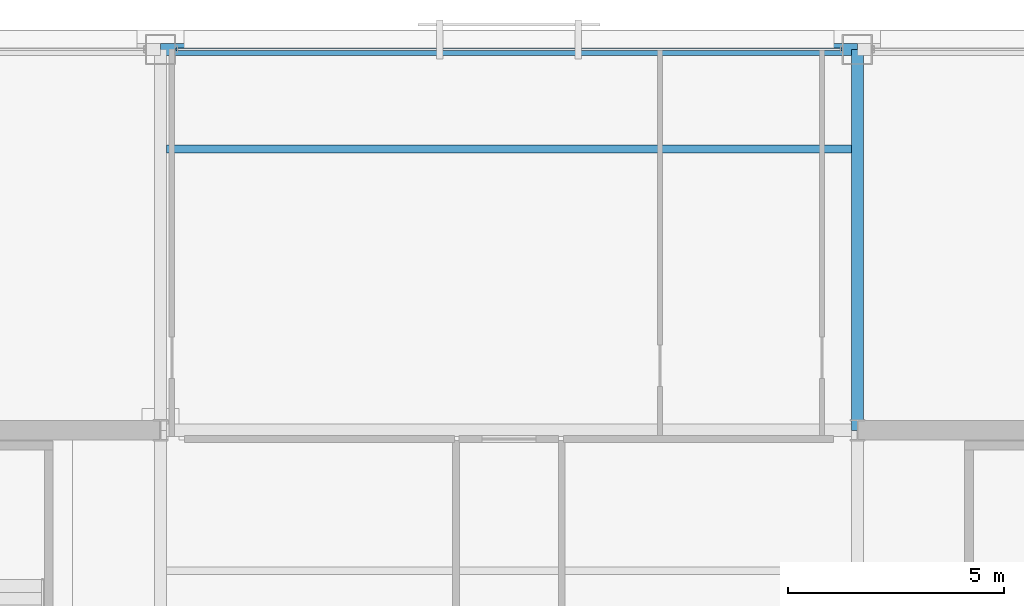
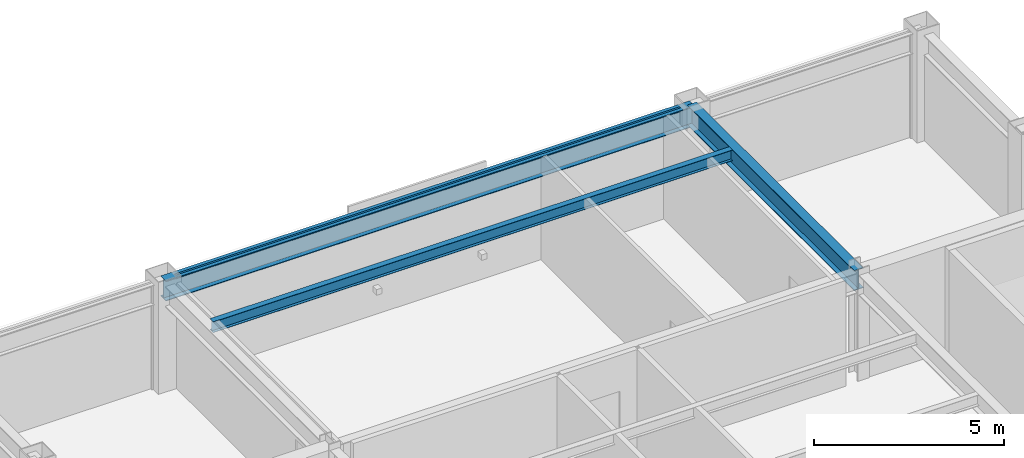
# One storey, part 21 of 30: 3 beams, 1 member, 1 element without a shape of its own.
"""IFC4 building model written with IfcOpenShell, lengths in metres."""

from ifc_helpers import new_model, si_unit, direction, frame, origin, origin_2d, place, context, subcontext, project, spatial, hollow_rectangle, i_section, extrude, material, layer, layer_set, material_profile, profile_set, type_object, element, aggregate, save


model = new_model("IFC4")

# Units and contexts
model_context = context("Model", 3, precision=1e-05, world=origin(), true_north=direction((0.0, 1.0)))
body_context = subcontext(model_context, "Body", "Model", "MODEL_VIEW")
ifc_project = project(units=[si_unit("LENGTHUNIT", "METRE"), si_unit("AREAUNIT", "SQUARE_METRE"), si_unit("VOLUMEUNIT", "CUBIC_METRE"), si_unit("PLANEANGLEUNIT", "RADIAN"), si_unit("MASSUNIT", "GRAM", prefix="KILO")], contexts=[model_context])

# Site, building, storey
site_placement = place(None, origin())
site = spatial("IfcSite", under=ifc_project, at=site_placement, CompositionType="ELEMENT")
building_placement = place(site_placement, origin())
building = spatial("IfcBuilding", under=site, at=building_placement, Name="Brelmoor Portico Tower", CompositionType="ELEMENT")
storey_placement = place(building_placement, frame((0.0, 0.0, 187.5)))
storey = spatial("IfcBuildingStorey", under=building, at=storey_placement, Name="L49", CompositionType="ELEMENT", Elevation=187.5)

# Beams
ifc_material_1 = material(Name="Steel Q355B", Category="steel")
ifc_material_profile_1 = material_profile(ifc_material_1, i_section(OverallWidth=0.175048828125, OverallDepth=0.35009765625, WebThickness=0.007080078125, FlangeThickness=0.010986328125, at=origin_2d()), Name="HN 350x175x7x11")
ifc_profile_set_1 = profile_set([ifc_material_profile_1], Name="Steel Q355B")
beam_type_1 = type_object("IfcBeamType", Name="BM-JS-350", PredefinedType="JOIST", material=ifc_profile_set_1)
beam_1_placement = place(storey_placement, frame((-7.909912109375, 16.25, 3.22509765625), z_axis=(1.0, 0.0, 0.0), x_axis=(0.0, 1.0, 0.0)))
element("IfcBeam", 1, at=beam_1_placement, inside=storey, type_object=beam_type_1, Name="L49 Secondary Composite Joist JS-C04", PredefinedType="JOIST", context=body_context, shape_type="SweptSolid", body=[
    extrude(i_section(OverallWidth=0.175048828125, OverallDepth=0.35009765625, WebThickness=0.007080078125, FlangeThickness=0.010986328125, at=origin_2d()), origin(), (0.0, 0.0, 1.0), 15.81982421875),
])
ifc_material_profile_2 = material_profile(ifc_material_1, i_section(OverallWidth=0.280029296875, OverallDepth=0.64990234375, WebThickness=0.012939453125, FlangeThickness=0.02197265625, at=origin_2d()), Name="HN 650x280x13x22")
ifc_profile_set_2 = profile_set([ifc_material_profile_2], Name="Steel Q355B")
beam_type_2 = type_object("IfcBeamType", Name="BM-PG-650", PredefinedType="BEAM", material=ifc_profile_set_2)
beam_2_placement = place(storey_placement, frame((8.050048828125, 9.75, 3.074951171875), z_axis=(0.0, 1.0, 0.0), x_axis=(-1.0, 0.0, 0.0)))
element("IfcBeam", 2, at=beam_2_placement, inside=storey, type_object=beam_type_2, Name="L49 Primary Floor Girder PG-08", PredefinedType="BEAM", context=body_context, shape_type="SweptSolid", body=[
    extrude(i_section(OverallWidth=0.280029296875, OverallDepth=0.64990234375, WebThickness=0.012939453125, FlangeThickness=0.02197265625, at=origin_2d()), origin(), (0.0, 0.0, 1.0), 8.800048828125),
])
ifc_material_profile_3 = material_profile(ifc_material_1, i_section(OverallWidth=0.280029296875, OverallDepth=0.64990234375, WebThickness=0.012939453125, FlangeThickness=0.02197265625, at=origin_2d()), Name="HN 650x280x13x22")
ifc_profile_set_3 = profile_set([ifc_material_profile_3], Name="Steel Q355B")
beam_type_3 = type_object("IfcBeamType", Name="BM-SP-650", PredefinedType="SPANDREL", material=ifc_profile_set_3)
beam_3_placement = place(storey_placement, frame((-8.050048828125, 18.550048828125, 3.074951171875), z_axis=(1.0, 0.0, 0.0), x_axis=(0.0, 1.0, 0.0)))
element("IfcBeam", 3, at=beam_3_placement, inside=storey, type_object=beam_type_3, Name="L49 Perimeter Spandrel Beam SP-09", PredefinedType="SPANDREL", context=body_context, shape_type="SweptSolid", body=[
    extrude(i_section(OverallWidth=0.280029296875, OverallDepth=0.64990234375, WebThickness=0.012939453125, FlangeThickness=0.02197265625, at=origin_2d()), origin(), (0.0, 0.0, 1.0), 16.10009765625),
])

# Curtain wall, member
ifc_material_2 = material(Name="Anodised Aluminium Alloy 6063-T6", Category="aluminium")
ifc_layer = layer(ifc_material_2, 0.179931640625)
ifc_layer_set = layer_set([ifc_layer], Name="Anodised Aluminium Alloy 6063-T6")
curtain_wall_type = type_object("IfcCurtainWallType", Name="CW-TOWER-Z3-XB", PredefinedType="NOTDEFINED", material=ifc_layer_set)
curtain_wall_placement = place(storey_placement, origin())
curtain_wall = element("IfcCurtainWall", 4, at=curtain_wall_placement, inside=storey, type_object=curtain_wall_type, Name="L49 Curtain Wall CW-L49-02-2", PredefinedType="NOTDEFINED")
ifc_material_profile_4 = material_profile(ifc_material_2, hollow_rectangle(XDim=0.06005859375, YDim=0.125, WallThickness=0.00341796875, at=origin_2d()), Name="ALU TRANSOM 60x125")
ifc_profile_set_4 = profile_set([ifc_material_profile_4], Name="Anodised Aluminium Alloy 6063-T6")
member_type = type_object("IfcMemberType", Name="MB-CW-TRAN-125", PredefinedType="USERDEFINED", material=ifc_profile_set_4)
member_placement = place(storey_placement, frame((-7.68994140625, 18.550048828125, 3.33740234375), z_axis=(1.0, 0.0, 0.0), x_axis=(0.0, 1.0, 0.0)))
member = element("IfcMember", 5, at=member_placement, type_object=member_type, Name="CW-L49-02-2 Transom 1-00", ObjectType="TRANSOM", PredefinedType="USERDEFINED", context=body_context, shape_type="SweptSolid", body=[
    extrude(hollow_rectangle(XDim=0.06005859375, YDim=0.125, WallThickness=0.00341796875, at=origin_2d()), origin(), (0.0, 0.0, 1.0), 15.3798828125),
])
aggregate(curtain_wall, [member])

save(model, "model.ifc")
